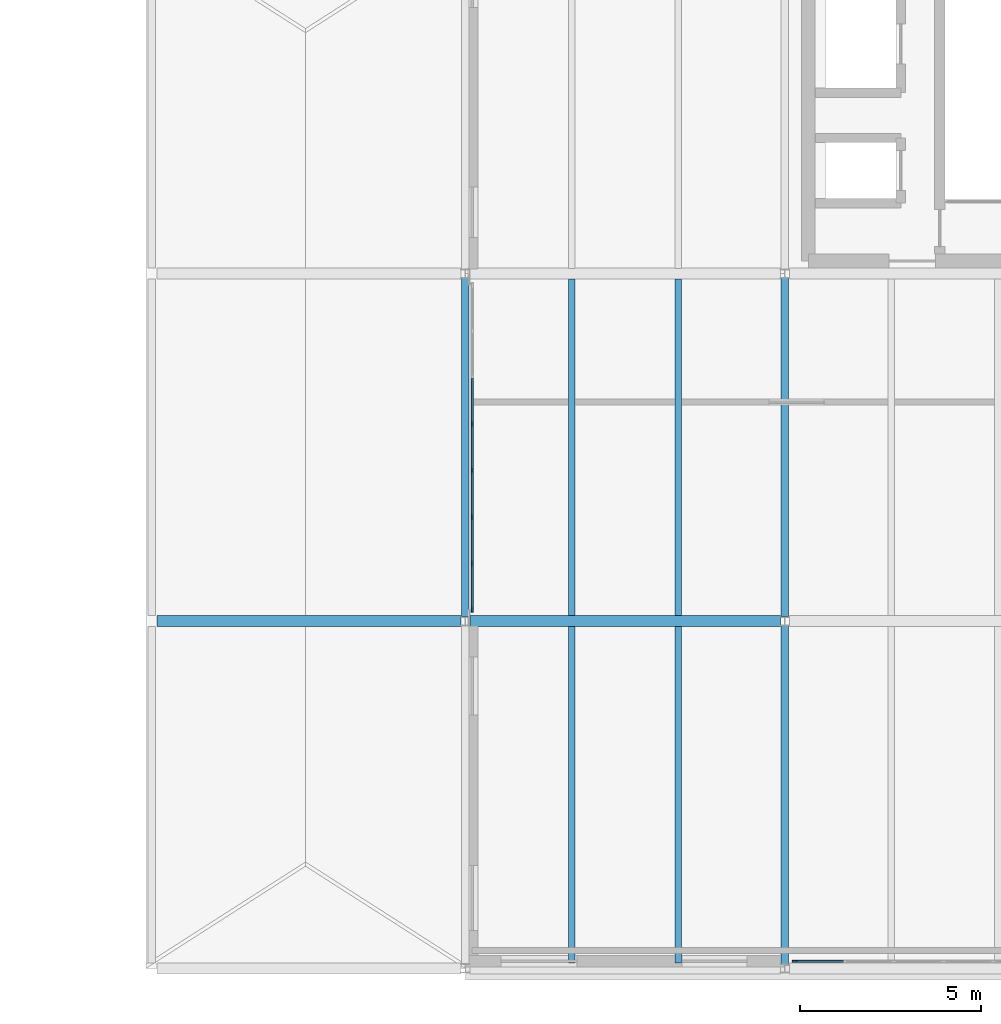
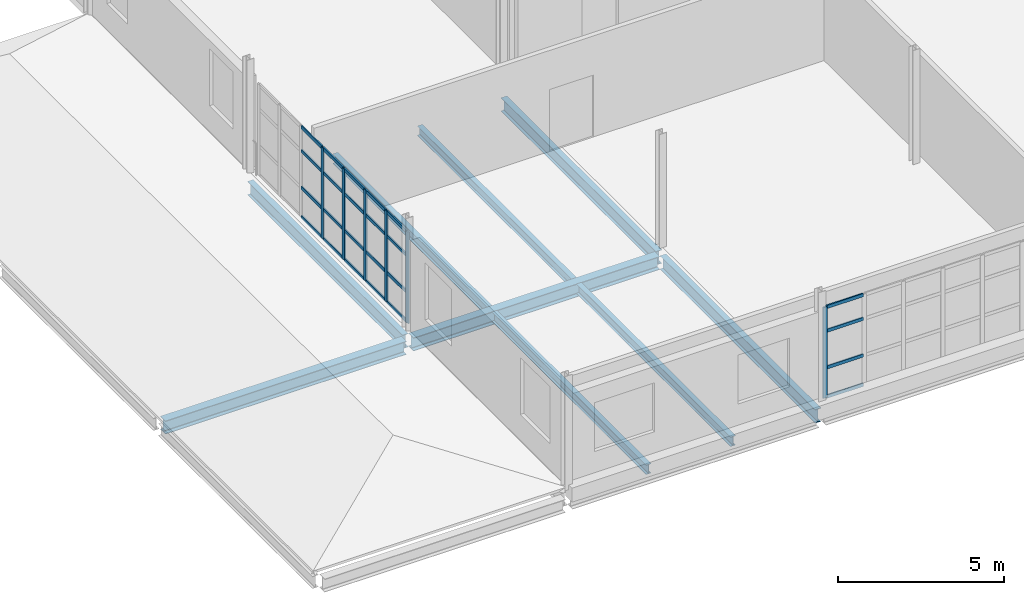
# One storey, part 11 of 28: 30 members, 9 beams, 2 elements without a shape of their own.
"""IFC4 building model written with IfcOpenShell, lengths in metres."""

import ifcopenshell
import ifcopenshell.guid

model = None  # the IFC model being written
_history = None  # IfcOwnerHistory: only IFC2X3 demands one
_inside = {}  # id of a spatial element -> (the spatial element, [elements in it])
_under = {}  # id of a project, library or spatial element -> (it, [spatial elements below it])
_declared = {}  # id of a project -> (the project, [libraries it declares])
_typed = {}  # id of a type object -> (the type object, [elements of that type])
_made_of = {}  # id of a material, layer set ... -> (it, [elements and type objects made of it])


def new_model(schema):
    """Start an empty IFC model of exactly this schema.

    Asked for "IFC4X3", IfcOpenShell would pick the latest addendum, in which some entities
    have other attributes; the version numbers below select the first issue.
    IFC2X3 requires an IfcOwnerHistory on every rooted entity: one is made here for all.
    """
    global model, _history
    if schema == "IFC4X3":
        model = ifcopenshell.file(schema_version=(4, 3, 0, 0))
    else:
        model = ifcopenshell.file(schema=schema)
    _inside.clear()
    _under.clear()
    _declared.clear()
    _typed.clear()
    _made_of.clear()
    _history = None
    if model.schema == "IFC2X3":
        org = make("IfcOrganization", Name="unknown")
        user = make(
            "IfcPersonAndOrganization",
            ThePerson=make("IfcPerson", FamilyName="unknown"),
            TheOrganization=org,
        )
        app = make(
            "IfcApplication",
            ApplicationDeveloper=org,
            Version="unknown",
            ApplicationFullName="unknown",
            ApplicationIdentifier="unknown",
        )
        _history = make(
            "IfcOwnerHistory",
            OwningUser=user,
            OwningApplication=app,
            ChangeAction="ADDED",
            CreationDate=0,
        )
    return model


def make(cls, **values):
    """One entity of the class cls with the attributes given. An attribute that is None is left unset."""
    return model.create_entity(
        cls, **{name: value for name, value in values.items() if value is not None}
    )


def rooted(cls, **values):
    """An entity with a GlobalId (a new one), such as an element, a storey or a relation."""
    return make(cls, GlobalId=ifcopenshell.guid.new(), OwnerHistory=_history, **values)


def si_unit(unit_type, name, prefix=None):
    """IfcSIUnit, for example si_unit("LENGTHUNIT", "METRE", prefix="MILLI")."""
    return make("IfcSIUnit", UnitType=unit_type, Prefix=prefix, Name=name)


def assignment(units):
    """IfcUnitAssignment: the units of a project."""
    return None if units is None else make("IfcUnitAssignment", Units=units)


def point(xyz):
    """IfcCartesianPoint."""
    return None if xyz is None else make("IfcCartesianPoint", Coordinates=xyz)


def direction(xyz):
    """IfcDirection."""
    return None if xyz is None else make("IfcDirection", DirectionRatios=xyz)


def frame(location, z_axis=None, x_axis=None):
    """IfcAxis2Placement3D, a coordinate frame: its origin and axes. An axis left out is left unset."""
    return make(
        "IfcAxis2Placement3D",
        Location=point(location),
        Axis=direction(z_axis),
        RefDirection=direction(x_axis),
    )


def frame_2d(location, x_axis=None):
    """IfcAxis2Placement2D, a coordinate frame in the plane: its origin and x axis."""
    return make(
        "IfcAxis2Placement2D", Location=point(location), RefDirection=direction(x_axis)
    )


def origin():
    """The frame at (0, 0, 0) with its axes left unset."""
    return frame((0.0, 0.0, 0.0))


def origin_2d():
    """The frame at (0, 0) in the plane with its x axis left unset."""
    return frame_2d((0.0, 0.0))


def place(relative_to, where):
    """IfcLocalPlacement: puts the frame where relative to a parent placement (None: the world)."""
    return make(
        "IfcLocalPlacement", PlacementRelTo=relative_to, RelativePlacement=where
    )


def context(
    kind, dimensions, precision=None, world=None, true_north=None, identifier=None
):
    """IfcGeometricRepresentationContext, for example the 3D "Model" context."""
    return make(
        "IfcGeometricRepresentationContext",
        ContextIdentifier=identifier,
        ContextType=kind,
        CoordinateSpaceDimension=dimensions,
        Precision=precision,
        WorldCoordinateSystem=world,
        TrueNorth=true_north,
    )


def subcontext(parent, identifier, kind, view, scale=None):
    """IfcGeometricRepresentationSubContext, for example "Body" below "Model"."""
    return make(
        "IfcGeometricRepresentationSubContext",
        ContextIdentifier=identifier,
        ContextType=kind,
        ParentContext=parent,
        TargetScale=scale,
        TargetView=view,
    )


def project(units=None, contexts=None):
    """IfcProject with its units and contexts."""
    return rooted(
        "IfcProject",
        Name="project",
        RepresentationContexts=contexts,
        UnitsInContext=assignment(units),
    )


def spatial(cls, under=None, at=None, **own):
    """A site, building, storey or space (cls), placed at a placement, below another one or the project."""
    s = rooted(cls, ObjectPlacement=at, **own)
    if under is not None:
        _under.setdefault(under.id(), (under, []))[1].append(s)
    return s


def profile(cls, at=None, kind="AREA", **sizes):
    """A parametric profile (cls). Its sizes go by their IFC names, for example OverallWidth=200.0."""
    return make(cls, ProfileType=kind, Position=at, **sizes)


def rectangle(**sizes):
    """IfcRectangleProfileDef."""
    return profile("IfcRectangleProfileDef", **sizes)


def i_section(**sizes):
    """IfcIShapeProfileDef."""
    return profile("IfcIShapeProfileDef", **sizes)


def extrude(swept, where, along, depth):
    """IfcExtrudedAreaSolid: the profile swept, set in the frame where, extruded along a direction by depth."""
    return make(
        "IfcExtrudedAreaSolid",
        SweptArea=swept,
        Position=where,
        ExtrudedDirection=direction(along),
        Depth=depth,
    )


def shape(context_of_items, identifier, shape_type, items):
    """IfcShapeRepresentation: the items that make up one representation, for example the "Body"."""
    return make(
        "IfcShapeRepresentation",
        ContextOfItems=context_of_items,
        RepresentationIdentifier=identifier,
        RepresentationType=shape_type,
        Items=items,
    )


def material(Name=None, Category=None):
    """IfcMaterial."""
    return make("IfcMaterial", Name=Name, Category=Category)


def layer(
    of_material, thickness, ventilated=None, Name=None, Category=None, Priority=None
):
    """IfcMaterialLayer: one layer of a wall or slab, of a material (None: an air gap)."""
    return make(
        "IfcMaterialLayer",
        Material=of_material,
        LayerThickness=thickness,
        IsVentilated=ventilated,
        Name=Name,
        Category=Category,
        Priority=Priority,
    )


def layer_set(layers, Name=None):
    """IfcMaterialLayerSet."""
    return make("IfcMaterialLayerSet", MaterialLayers=layers, LayerSetName=Name)


def material_profile(
    of_material, cross_section, Name=None, Category=None, Priority=None
):
    """IfcMaterialProfile: a cross section and its material."""
    return make(
        "IfcMaterialProfile",
        Name=Name,
        Material=of_material,
        Profile=cross_section,
        Priority=Priority,
        Category=Category,
    )


def profile_set(profiles, Name=None, composite=None):
    """IfcMaterialProfileSet."""
    return make(
        "IfcMaterialProfileSet",
        Name=Name,
        MaterialProfiles=profiles,
        CompositeProfile=composite,
    )


def made_of(thing, what):
    """Note that an element or type object is made of a material, layer set ...; save() writes the relation."""
    if what is not None:
        _made_of.setdefault(what.id(), (what, []))[1].append(thing)
    return thing


def type_object(cls, material=None, **own):
    """A type object (cls), such as IfcWallType, which elements share."""
    return made_of(rooted(cls, **own), material)


def element(
    cls,
    number,
    at=None,
    inside=None,
    cuts=None,
    type_object=None,
    material=None,
    context=None,
    identifier="Body",
    shape_type=None,
    held_by="IfcProductDefinitionShape",
    body=None,
    shapes=None,
    **own,
):
    """One element of the class cls, such as IfcWall. Its Tag is "e" and its number.

    at: its placement. inside: the storey or other place that contains it. cuts: it is an
    opening in that element (IfcRelVoidsElement). A single representation is given by context,
    identifier, shape_type and body (its items); several are given by shapes. held_by: the class
    of the entity that holds the representations. save() writes the other relations.
    """
    e = rooted(cls, Tag="e%d" % number, ObjectPlacement=at, **own)
    if body is not None:
        shapes = [shape(context, identifier, shape_type, body)]
    if shapes is not None:
        e.Representation = make(held_by, Representations=shapes)
    if inside is not None:
        _inside.setdefault(inside.id(), (inside, []))[1].append(e)
    if cuts is not None:
        rooted(
            "IfcRelVoidsElement", RelatingBuildingElement=cuts, RelatedOpeningElement=e
        )
    if type_object is not None:
        _typed.setdefault(type_object.id(), (type_object, []))[1].append(e)
    return made_of(e, material)


def aggregate(whole, parts):
    """IfcRelAggregates: a whole, such as a stair, and the parts it consists of."""
    return rooted("IfcRelAggregates", RelatingObject=whole, RelatedObjects=parts)


def save(model, path):
    """Write the relations noted so far, then the file.

    IfcRelAggregates (storeys below a building ...), IfcRelContainedInSpatialStructure (elements
    in a storey), IfcRelDefinesByType, IfcRelAssociatesMaterial and IfcRelDeclares: one each for
    every whole, place, type object, material and project.
    """
    for whole, parts in _under.values():
        aggregate(whole, parts)
    for where, things in _inside.values():
        rooted(
            "IfcRelContainedInSpatialStructure",
            RelatedElements=things,
            RelatingStructure=where,
        )
    for kind, things in _typed.values():
        rooted("IfcRelDefinesByType", RelatedObjects=things, RelatingType=kind)
    for what, things in _made_of.values():
        rooted("IfcRelAssociatesMaterial", RelatedObjects=things, RelatingMaterial=what)
    for by, libraries in _declared.values():
        rooted("IfcRelDeclares", RelatingContext=by, RelatedDefinitions=libraries)
    model.write(path)


model = new_model("IFC4")

# Units and contexts
model_context = context("Model", 3, precision=1e-05, world=origin(), true_north=direction((0.0, 1.0)))
body_context = subcontext(model_context, "Body", "Model", "MODEL_VIEW")
ifc_project = project(units=[si_unit("LENGTHUNIT", "METRE"), si_unit("AREAUNIT", "SQUARE_METRE"), si_unit("VOLUMEUNIT", "CUBIC_METRE"), si_unit("PLANEANGLEUNIT", "RADIAN"), si_unit("MASSUNIT", "GRAM", prefix="KILO")], contexts=[model_context])

# Site, building, storey
site_placement = place(None, origin())
site = spatial("IfcSite", under=ifc_project, at=site_placement, CompositionType="ELEMENT")
building_placement = place(site_placement, origin())
building = spatial("IfcBuilding", under=site, at=building_placement, Name="Yeouljin Market Hall", CompositionType="ELEMENT")
storey_placement = place(building_placement, frame((0.0, 0.0, 15.0)))
storey = spatial("IfcBuildingStorey", under=building, at=storey_placement, Name="L03", CompositionType="ELEMENT", Elevation=15.0)

# Beams
ifc_material_1 = material(Name="Steel SM355", Category="steel")
ifc_material_profile_1 = material_profile(ifc_material_1, i_section(OverallWidth=0.199951171875, OverallDepth=0.5, WebThickness=0.010009765625, FlangeThickness=0.01611328125, FilletRadius=0.02001953125, at=origin_2d()), Name="H-500x200x10x16")
ifc_profile_set_1 = profile_set([ifc_material_profile_1], Name="Steel SM355")
beam_type_1 = type_object("IfcBeamType", Name="Beam_H-500x200x10x16", PredefinedType="BEAM", material=ifc_profile_set_1)
beam_1_placement = place(storey_placement, frame((149.909912109375, 9.72509765625, -0.5048828125), z_axis=(0.0, 1.0, 0.0), x_axis=(-1.0, 0.0, 0.0)))
element("IfcBeam", 1, at=beam_1_placement, inside=storey, type_object=beam_type_1, Name="Primary beam BM-L03-Y075", PredefinedType="BEAM", context=body_context, shape_type="SweptSolid", body=[
    extrude(i_section(OverallWidth=0.199951171875, OverallDepth=0.5, WebThickness=0.010009765625, FlangeThickness=0.01611328125, FilletRadius=0.02001953125, at=origin_2d()), origin(), (0.0, 0.0, 1.0), 9.349853515625),
])
beam_2_placement = place(storey_placement, frame((158.739990234375, 0.125, -0.514892578125), z_axis=(0.0, 1.0, 0.0), x_axis=(-1.0, 0.0, 0.0)))
element("IfcBeam", 2, at=beam_2_placement, inside=storey, type_object=beam_type_1, Name="Primary beam BM-L03-Y077", PredefinedType="BEAM", context=body_context, shape_type="SweptSolid", body=[
    extrude(i_section(OverallWidth=0.199951171875, OverallDepth=0.5, WebThickness=0.010009765625, FlangeThickness=0.01611328125, FilletRadius=0.02001953125, at=origin_2d()), origin(), (0.0, 0.0, 1.0), 9.35009765625),
])
beam_3_placement = place(storey_placement, frame((158.739990234375, 9.72509765625, -0.514892578125), z_axis=(0.0, 1.0, 0.0), x_axis=(-1.0, 0.0, 0.0)))
element("IfcBeam", 3, at=beam_3_placement, inside=storey, type_object=beam_type_1, Name="Primary beam BM-L03-Y078", PredefinedType="BEAM", context=body_context, shape_type="SweptSolid", body=[
    extrude(i_section(OverallWidth=0.199951171875, OverallDepth=0.5, WebThickness=0.010009765625, FlangeThickness=0.01611328125, FilletRadius=0.02001953125, at=origin_2d()), origin(), (0.0, 0.0, 1.0), 9.349853515625),
])

# Curtain wall, member
ifc_material_2 = material(Name="Thermally Broken Aluminium", Category="aluminium")
ifc_layer = layer(ifc_material_2, 0.14990234375)
ifc_layer_set = layer_set([ifc_layer], Name="Thermally Broken Aluminium")
curtain_wall_type = type_object("IfcCurtainWallType", Name="CW_AcademyRibbon_System", PredefinedType="USERDEFINED", material=ifc_layer_set)
curtain_wall_1_placement = place(storey_placement, origin())
curtain_wall_1 = element("IfcCurtainWall", 4, at=curtain_wall_1_placement, inside=storey, type_object=curtain_wall_type, Name="Curtain wall CW-L03-W11", ObjectType="CURTAIN WALL", PredefinedType="USERDEFINED")
ifc_material_3 = material(Name="Thermally Broken Aluminium", Category="aluminium")
ifc_material_profile_2 = material_profile(ifc_material_3, rectangle(XDim=0.048095703125, YDim=0.14990234375, at=origin_2d()), Name="CW-MULL-48x150")
ifc_profile_set_2 = profile_set([ifc_material_profile_2], Name="Thermally Broken Aluminium")
member_type_1 = type_object("IfcMemberType", Name="CWMullion_48x150", PredefinedType="MULLION", material=ifc_profile_set_2)
member_1_placement = place(storey_placement, frame((159.02392578125, 0.199951171875, 0.0), z_axis=(0.0, 0.0, 1.0), x_axis=(0.0, -1.0, 0.0)))
member_1 = element("IfcMember", 5, at=member_1_placement, type_object=member_type_1, Name="CW-05 mullion 7", PredefinedType="MULLION", context=body_context, shape_type="SweptSolid", body=[
    extrude(rectangle(XDim=0.048095703125, YDim=0.14990234375, at=origin_2d()), origin(), (0.0, 0.0, 1.0), 3.35009765625),
])

# Curtain wall, members
curtain_wall_2_placement = place(storey_placement, origin())
curtain_wall_2 = element("IfcCurtainWall", 6, at=curtain_wall_2_placement, inside=storey, type_object=curtain_wall_type, Name="Curtain wall CW-L03-W17", ObjectType="CURTAIN WALL", PredefinedType="USERDEFINED")
member_2_placement = place(storey_placement, frame((150.10009765625, 15.04296875, 0.0), z_axis=(0.0, 0.0, 1.0), x_axis=(1.0, 0.0, 0.0)))
member_2 = element("IfcMember", 7, at=member_2_placement, type_object=member_type_1, Name="CW-05 mullion 4", PredefinedType="MULLION", context=body_context, shape_type="SweptSolid", body=[
    extrude(rectangle(XDim=0.048095703125, YDim=0.14990234375, at=origin_2d()), origin(), (0.0, 0.0, 1.0), 3.35009765625),
])
member_3_placement = place(storey_placement, frame((150.10009765625, 13.757080078125, 0.0), z_axis=(0.0, 0.0, 1.0), x_axis=(1.0, 0.0, 0.0)))
member_3 = element("IfcMember", 8, at=member_3_placement, type_object=member_type_1, Name="CW-05 mullion 5", PredefinedType="MULLION", context=body_context, shape_type="SweptSolid", body=[
    extrude(rectangle(XDim=0.048095703125, YDim=0.14990234375, at=origin_2d()), origin(), (0.0, 0.0, 1.0), 3.35009765625),
])
member_4_placement = place(storey_placement, frame((150.10009765625, 12.471435546875, 0.0), z_axis=(0.0, 0.0, 1.0), x_axis=(1.0, 0.0, 0.0)))
member_4 = element("IfcMember", 9, at=member_4_placement, type_object=member_type_1, Name="CW-05 mullion 6", PredefinedType="MULLION", context=body_context, shape_type="SweptSolid", body=[
    extrude(rectangle(XDim=0.048095703125, YDim=0.14990234375, at=origin_2d()), origin(), (0.0, 0.0, 1.0), 3.35009765625),
])
member_5_placement = place(storey_placement, frame((150.10009765625, 11.185791015625, 0.0), z_axis=(0.0, 0.0, 1.0), x_axis=(1.0, 0.0, 0.0)))
member_5 = element("IfcMember", 10, at=member_5_placement, type_object=member_type_1, Name="CW-05 mullion 7", PredefinedType="MULLION", context=body_context, shape_type="SweptSolid", body=[
    extrude(rectangle(XDim=0.048095703125, YDim=0.14990234375, at=origin_2d()), origin(), (0.0, 0.0, 1.0), 3.35009765625),
])
member_6_placement = place(storey_placement, frame((150.10009765625, 9.924072265625, 0.0), z_axis=(0.0, 0.0, 1.0), x_axis=(1.0, 0.0, 0.0)))
member_6 = element("IfcMember", 11, at=member_6_placement, type_object=member_type_1, Name="CW-05 mullion 8", PredefinedType="MULLION", context=body_context, shape_type="SweptSolid", body=[
    extrude(rectangle(XDim=0.048095703125, YDim=0.14990234375, at=origin_2d()), origin(), (0.0, 0.0, 1.0), 3.35009765625),
])

# Member
ifc_material_4 = material(Name="Thermally Broken Aluminium", Category="aluminium")
ifc_material_profile_3 = material_profile(ifc_material_4, rectangle(XDim=0.048095703125, YDim=0.1201171875, at=origin_2d()), Name="CW-TRAN-48x120")
ifc_profile_set_3 = profile_set([ifc_material_profile_3], Name="Thermally Broken Aluminium")
member_type_2 = type_object("IfcMemberType", Name="CWTransom_48x120", PredefinedType="USERDEFINED", material=ifc_profile_set_3)
member_7_placement = place(storey_placement, frame((160.35107421875, 0.199951171875, 0.02392578125), z_axis=(-1.0, 0.0, 0.0), x_axis=(0.0, -1.0, 0.0)))
member_7 = element("IfcMember", 12, at=member_7_placement, type_object=member_type_2, Name="CW-05 transom 6.1", ObjectType="TRANSOM", PredefinedType="USERDEFINED", context=body_context, shape_type="SweptSolid", body=[
    extrude(rectangle(XDim=0.048095703125, YDim=0.1201171875, at=origin_2d()), origin(), (0.0, 0.0, 1.0), 1.302978515625),
])

member_8_placement = place(storey_placement, frame((160.35107421875, 0.199951171875, 1.10009765625), z_axis=(-1.0, 0.0, 0.0), x_axis=(0.0, -1.0, 0.0)))
member_8 = element("IfcMember", 13, at=member_8_placement, type_object=member_type_2, Name="CW-05 transom 6.2", ObjectType="TRANSOM", PredefinedType="USERDEFINED", context=body_context, shape_type="SweptSolid", body=[
    extrude(rectangle(XDim=0.048095703125, YDim=0.1201171875, at=origin_2d()), origin(), (0.0, 0.0, 1.0), 1.302978515625),
])

member_9_placement = place(storey_placement, frame((160.35107421875, 0.199951171875, 2.449951171875), z_axis=(-1.0, 0.0, 0.0), x_axis=(0.0, -1.0, 0.0)))
member_9 = element("IfcMember", 14, at=member_9_placement, type_object=member_type_2, Name="CW-05 transom 6.3", ObjectType="TRANSOM", PredefinedType="USERDEFINED", context=body_context, shape_type="SweptSolid", body=[
    extrude(rectangle(XDim=0.048095703125, YDim=0.1201171875, at=origin_2d()), origin(), (0.0, 0.0, 1.0), 1.302978515625),
])

member_10_placement = place(storey_placement, frame((160.35107421875, 0.199951171875, 3.325927734375), z_axis=(-1.0, 0.0, 0.0), x_axis=(0.0, -1.0, 0.0)))
member_10 = element("IfcMember", 15, at=member_10_placement, type_object=member_type_2, Name="CW-05 transom 6.4", ObjectType="TRANSOM", PredefinedType="USERDEFINED", context=body_context, shape_type="SweptSolid", body=[
    extrude(rectangle(XDim=0.048095703125, YDim=0.1201171875, at=origin_2d()), origin(), (0.0, 0.0, 1.0), 1.302978515625),
])

aggregate(curtain_wall_1, [member_1, member_7, member_8, member_9, member_10])

member_11_placement = place(storey_placement, frame((150.10009765625, 16.3046875, 0.02392578125), z_axis=(0.0, -1.0, 0.0), x_axis=(1.0, 0.0, 0.0)))
member_11 = element("IfcMember", 16, at=member_11_placement, type_object=member_type_2, Name="CW-05 transom 3.1", ObjectType="TRANSOM", PredefinedType="USERDEFINED", context=body_context, shape_type="SweptSolid", body=[
    extrude(rectangle(XDim=0.048095703125, YDim=0.1201171875, at=origin_2d()), origin(), (0.0, 0.0, 1.0), 1.23779296875),
])

member_12_placement = place(storey_placement, frame((150.10009765625, 16.3046875, 1.10009765625), z_axis=(0.0, -1.0, 0.0), x_axis=(1.0, 0.0, 0.0)))
member_12 = element("IfcMember", 17, at=member_12_placement, type_object=member_type_2, Name="CW-05 transom 3.2", ObjectType="TRANSOM", PredefinedType="USERDEFINED", context=body_context, shape_type="SweptSolid", body=[
    extrude(rectangle(XDim=0.048095703125, YDim=0.1201171875, at=origin_2d()), origin(), (0.0, 0.0, 1.0), 1.23779296875),
])

member_13_placement = place(storey_placement, frame((150.10009765625, 16.3046875, 2.449951171875), z_axis=(0.0, -1.0, 0.0), x_axis=(1.0, 0.0, 0.0)))
member_13 = element("IfcMember", 18, at=member_13_placement, type_object=member_type_2, Name="CW-05 transom 3.3", ObjectType="TRANSOM", PredefinedType="USERDEFINED", context=body_context, shape_type="SweptSolid", body=[
    extrude(rectangle(XDim=0.048095703125, YDim=0.1201171875, at=origin_2d()), origin(), (0.0, 0.0, 1.0), 1.23779296875),
])

member_14_placement = place(storey_placement, frame((150.10009765625, 16.3046875, 3.325927734375), z_axis=(0.0, -1.0, 0.0), x_axis=(1.0, 0.0, 0.0)))
member_14 = element("IfcMember", 19, at=member_14_placement, type_object=member_type_2, Name="CW-05 transom 3.4", ObjectType="TRANSOM", PredefinedType="USERDEFINED", context=body_context, shape_type="SweptSolid", body=[
    extrude(rectangle(XDim=0.048095703125, YDim=0.1201171875, at=origin_2d()), origin(), (0.0, 0.0, 1.0), 1.23779296875),
])

member_15_placement = place(storey_placement, frame((150.10009765625, 15.018798828125, 0.02392578125), z_axis=(0.0, -1.0, 0.0), x_axis=(1.0, 0.0, 0.0)))
member_15 = element("IfcMember", 20, at=member_15_placement, type_object=member_type_2, Name="CW-05 transom 4.1", ObjectType="TRANSOM", PredefinedType="USERDEFINED", context=body_context, shape_type="SweptSolid", body=[
    extrude(rectangle(XDim=0.048095703125, YDim=0.1201171875, at=origin_2d()), origin(), (0.0, 0.0, 1.0), 1.237548828125),
])

member_16_placement = place(storey_placement, frame((150.10009765625, 15.018798828125, 1.10009765625), z_axis=(0.0, -1.0, 0.0), x_axis=(1.0, 0.0, 0.0)))
member_16 = element("IfcMember", 21, at=member_16_placement, type_object=member_type_2, Name="CW-05 transom 4.2", ObjectType="TRANSOM", PredefinedType="USERDEFINED", context=body_context, shape_type="SweptSolid", body=[
    extrude(rectangle(XDim=0.048095703125, YDim=0.1201171875, at=origin_2d()), origin(), (0.0, 0.0, 1.0), 1.237548828125),
])

member_17_placement = place(storey_placement, frame((150.10009765625, 15.018798828125, 2.449951171875), z_axis=(0.0, -1.0, 0.0), x_axis=(1.0, 0.0, 0.0)))
member_17 = element("IfcMember", 22, at=member_17_placement, type_object=member_type_2, Name="CW-05 transom 4.3", ObjectType="TRANSOM", PredefinedType="USERDEFINED", context=body_context, shape_type="SweptSolid", body=[
    extrude(rectangle(XDim=0.048095703125, YDim=0.1201171875, at=origin_2d()), origin(), (0.0, 0.0, 1.0), 1.237548828125),
])

member_18_placement = place(storey_placement, frame((150.10009765625, 15.018798828125, 3.325927734375), z_axis=(0.0, -1.0, 0.0), x_axis=(1.0, 0.0, 0.0)))
member_18 = element("IfcMember", 23, at=member_18_placement, type_object=member_type_2, Name="CW-05 transom 4.4", ObjectType="TRANSOM", PredefinedType="USERDEFINED", context=body_context, shape_type="SweptSolid", body=[
    extrude(rectangle(XDim=0.048095703125, YDim=0.1201171875, at=origin_2d()), origin(), (0.0, 0.0, 1.0), 1.237548828125),
])

member_19_placement = place(storey_placement, frame((150.10009765625, 13.733154296875, 0.02392578125), z_axis=(0.0, -1.0, 0.0), x_axis=(1.0, 0.0, 0.0)))
member_19 = element("IfcMember", 24, at=member_19_placement, type_object=member_type_2, Name="CW-05 transom 5.1", ObjectType="TRANSOM", PredefinedType="USERDEFINED", context=body_context, shape_type="SweptSolid", body=[
    extrude(rectangle(XDim=0.048095703125, YDim=0.1201171875, at=origin_2d()), origin(), (0.0, 0.0, 1.0), 1.23779296875),
])

member_20_placement = place(storey_placement, frame((150.10009765625, 13.733154296875, 1.10009765625), z_axis=(0.0, -1.0, 0.0), x_axis=(1.0, 0.0, 0.0)))
member_20 = element("IfcMember", 25, at=member_20_placement, type_object=member_type_2, Name="CW-05 transom 5.2", ObjectType="TRANSOM", PredefinedType="USERDEFINED", context=body_context, shape_type="SweptSolid", body=[
    extrude(rectangle(XDim=0.048095703125, YDim=0.1201171875, at=origin_2d()), origin(), (0.0, 0.0, 1.0), 1.23779296875),
])

member_21_placement = place(storey_placement, frame((150.10009765625, 13.733154296875, 2.449951171875), z_axis=(0.0, -1.0, 0.0), x_axis=(1.0, 0.0, 0.0)))
member_21 = element("IfcMember", 26, at=member_21_placement, type_object=member_type_2, Name="CW-05 transom 5.3", ObjectType="TRANSOM", PredefinedType="USERDEFINED", context=body_context, shape_type="SweptSolid", body=[
    extrude(rectangle(XDim=0.048095703125, YDim=0.1201171875, at=origin_2d()), origin(), (0.0, 0.0, 1.0), 1.23779296875),
])

member_22_placement = place(storey_placement, frame((150.10009765625, 13.733154296875, 3.325927734375), z_axis=(0.0, -1.0, 0.0), x_axis=(1.0, 0.0, 0.0)))
member_22 = element("IfcMember", 27, at=member_22_placement, type_object=member_type_2, Name="CW-05 transom 5.4", ObjectType="TRANSOM", PredefinedType="USERDEFINED", context=body_context, shape_type="SweptSolid", body=[
    extrude(rectangle(XDim=0.048095703125, YDim=0.1201171875, at=origin_2d()), origin(), (0.0, 0.0, 1.0), 1.23779296875),
])

member_23_placement = place(storey_placement, frame((150.10009765625, 12.447509765625, 0.02392578125), z_axis=(0.0, -1.0, 0.0), x_axis=(1.0, 0.0, 0.0)))
member_23 = element("IfcMember", 28, at=member_23_placement, type_object=member_type_2, Name="CW-05 transom 6.1", ObjectType="TRANSOM", PredefinedType="USERDEFINED", context=body_context, shape_type="SweptSolid", body=[
    extrude(rectangle(XDim=0.048095703125, YDim=0.1201171875, at=origin_2d()), origin(), (0.0, 0.0, 1.0), 1.23779296875),
])

member_24_placement = place(storey_placement, frame((150.10009765625, 12.447509765625, 1.10009765625), z_axis=(0.0, -1.0, 0.0), x_axis=(1.0, 0.0, 0.0)))
member_24 = element("IfcMember", 29, at=member_24_placement, type_object=member_type_2, Name="CW-05 transom 6.2", ObjectType="TRANSOM", PredefinedType="USERDEFINED", context=body_context, shape_type="SweptSolid", body=[
    extrude(rectangle(XDim=0.048095703125, YDim=0.1201171875, at=origin_2d()), origin(), (0.0, 0.0, 1.0), 1.23779296875),
])

member_25_placement = place(storey_placement, frame((150.10009765625, 12.447509765625, 2.449951171875), z_axis=(0.0, -1.0, 0.0), x_axis=(1.0, 0.0, 0.0)))
member_25 = element("IfcMember", 30, at=member_25_placement, type_object=member_type_2, Name="CW-05 transom 6.3", ObjectType="TRANSOM", PredefinedType="USERDEFINED", context=body_context, shape_type="SweptSolid", body=[
    extrude(rectangle(XDim=0.048095703125, YDim=0.1201171875, at=origin_2d()), origin(), (0.0, 0.0, 1.0), 1.23779296875),
])

member_26_placement = place(storey_placement, frame((150.10009765625, 12.447509765625, 3.325927734375), z_axis=(0.0, -1.0, 0.0), x_axis=(1.0, 0.0, 0.0)))
member_26 = element("IfcMember", 31, at=member_26_placement, type_object=member_type_2, Name="CW-05 transom 6.4", ObjectType="TRANSOM", PredefinedType="USERDEFINED", context=body_context, shape_type="SweptSolid", body=[
    extrude(rectangle(XDim=0.048095703125, YDim=0.1201171875, at=origin_2d()), origin(), (0.0, 0.0, 1.0), 1.23779296875),
])

member_27_placement = place(storey_placement, frame((150.10009765625, 11.16162109375, 0.02392578125), z_axis=(0.0, -1.0, 0.0), x_axis=(1.0, 0.0, 0.0)))
member_27 = element("IfcMember", 32, at=member_27_placement, type_object=member_type_2, Name="CW-05 transom 7.1", ObjectType="TRANSOM", PredefinedType="USERDEFINED", context=body_context, shape_type="SweptSolid", body=[
    extrude(rectangle(XDim=0.048095703125, YDim=0.1201171875, at=origin_2d()), origin(), (0.0, 0.0, 1.0), 1.213623046875),
])

member_28_placement = place(storey_placement, frame((150.10009765625, 11.16162109375, 1.10009765625), z_axis=(0.0, -1.0, 0.0), x_axis=(1.0, 0.0, 0.0)))
member_28 = element("IfcMember", 33, at=member_28_placement, type_object=member_type_2, Name="CW-05 transom 7.2", ObjectType="TRANSOM", PredefinedType="USERDEFINED", context=body_context, shape_type="SweptSolid", body=[
    extrude(rectangle(XDim=0.048095703125, YDim=0.1201171875, at=origin_2d()), origin(), (0.0, 0.0, 1.0), 1.213623046875),
])

member_29_placement = place(storey_placement, frame((150.10009765625, 11.16162109375, 2.449951171875), z_axis=(0.0, -1.0, 0.0), x_axis=(1.0, 0.0, 0.0)))
member_29 = element("IfcMember", 34, at=member_29_placement, type_object=member_type_2, Name="CW-05 transom 7.3", ObjectType="TRANSOM", PredefinedType="USERDEFINED", context=body_context, shape_type="SweptSolid", body=[
    extrude(rectangle(XDim=0.048095703125, YDim=0.1201171875, at=origin_2d()), origin(), (0.0, 0.0, 1.0), 1.213623046875),
])

member_30_placement = place(storey_placement, frame((150.10009765625, 11.16162109375, 3.325927734375), z_axis=(0.0, -1.0, 0.0), x_axis=(1.0, 0.0, 0.0)))
member_30 = element("IfcMember", 35, at=member_30_placement, type_object=member_type_2, Name="CW-05 transom 7.4", ObjectType="TRANSOM", PredefinedType="USERDEFINED", context=body_context, shape_type="SweptSolid", body=[
    extrude(rectangle(XDim=0.048095703125, YDim=0.1201171875, at=origin_2d()), origin(), (0.0, 0.0, 1.0), 1.213623046875),
])

aggregate(curtain_wall_2, [member_2, member_3, member_4, member_5, member_6, member_11, member_12, member_13, member_14, member_15, member_16, member_17, member_18, member_19, member_20, member_21, member_22, member_23, member_24, member_25, member_26, member_27, member_28, member_29, member_30])

# Beams
ifc_material_5 = material(Name="Steel SM355", Category="steel")
ifc_material_profile_4 = material_profile(ifc_material_5, i_section(OverallWidth=0.300048828125, OverallDepth=0.488037109375, WebThickness=0.010986328125, FlangeThickness=0.01806640625, FilletRadius=0.02197265625, at=origin_2d()), Name="H-488x300x11x18")
ifc_profile_set_4 = profile_set([ifc_material_profile_4], Name="Steel SM355")
beam_type_2 = type_object("IfcBeamType", Name="Girder_H-488x300x11x18", PredefinedType="USERDEFINED", material=ifc_profile_set_4)
beam_4_placement = place(storey_placement, frame((150.034912109375, 9.60009765625, -0.509033203125), z_axis=(1.0, 0.0, 0.0), x_axis=(0.0, 1.0, 0.0)))
element("IfcBeam", 36, at=beam_4_placement, inside=storey, type_object=beam_type_2, Name="Primary girder GRD-L03-X010", ObjectType="GIRDER", PredefinedType="USERDEFINED", context=body_context, shape_type="SweptSolid", body=[
    extrude(i_section(OverallWidth=0.300048828125, OverallDepth=0.488037109375, WebThickness=0.010986328125, FlangeThickness=0.01806640625, FilletRadius=0.02197265625, at=origin_2d()), origin(), (0.0, 0.0, 1.0), 8.580078125),
])
beam_5_placement = place(storey_placement, frame((141.39501953125, 9.60009765625, -0.5439453125), z_axis=(1.0, 0.0, 0.0), x_axis=(0.0, 1.0, 0.0)))
element("IfcBeam", 37, at=beam_5_placement, inside=storey, type_object=beam_type_2, Name="Harbour terrace pergola girder GRD-L02TR-X02", ObjectType="GIRDER", PredefinedType="USERDEFINED", context=body_context, shape_type="SweptSolid", body=[
    extrude(i_section(OverallWidth=0.300048828125, OverallDepth=0.488037109375, WebThickness=0.010986328125, FlangeThickness=0.01806640625, FilletRadius=0.02197265625, at=origin_2d()), origin(), (0.0, 0.0, 1.0), 8.389892578125),
])
ifc_material_6 = material(Name="Steel SM355", Category="steel")
ifc_material_profile_5 = material_profile(ifc_material_6, i_section(OverallWidth=0.175048828125, OverallDepth=0.35009765625, WebThickness=0.007080078125, FlangeThickness=0.010986328125, FilletRadius=0.013916015625, at=origin_2d()), Name="H-350x175x7x11")
ifc_profile_set_5 = profile_set([ifc_material_profile_5], Name="Steel SM355")
beam_type_3 = type_object("IfcBeamType", Name="Joist_H-350x175x7x11", PredefinedType="JOIST", material=ifc_profile_set_5)
for number, where, z_axis, x_axis, name in (
    (38, (152.853271484375, 0.14697265625, -0.43994140625), (0.0, 1.0, 0.0), (-1.0, 0.0, 0.0), "Secondary floor joist L03-040"),
    (39, (155.796630859375, 0.14697265625, -0.43994140625), (0.0, 1.0, 0.0), (-1.0, 0.0, 0.0), "Secondary floor joist L03-041"),
    (40, (152.853271484375, 9.7470703125, -0.43994140625), (0.0, 1.0, 0.0), (-1.0, 0.0, 0.0), "Secondary floor joist L03-042"),
    (41, (155.796630859375, 9.7470703125, -0.43994140625), (0.0, 1.0, 0.0), (-1.0, 0.0, 0.0), "Secondary floor joist L03-043"),
):
    element("IfcBeam", number, at=place(storey_placement, frame(where, z_axis=z_axis, x_axis=x_axis)), inside=storey, type_object=beam_type_3, Name=name, PredefinedType="JOIST", context=body_context, shape_type="SweptSolid", body=[
        extrude(i_section(OverallWidth=0.175048828125, OverallDepth=0.35009765625, WebThickness=0.007080078125, FlangeThickness=0.010986328125, FilletRadius=0.013916015625, at=origin_2d()), origin(), (0.0, 0.0, 1.0), 9.305908203125),
    ])

save(model, "model.ifc")
